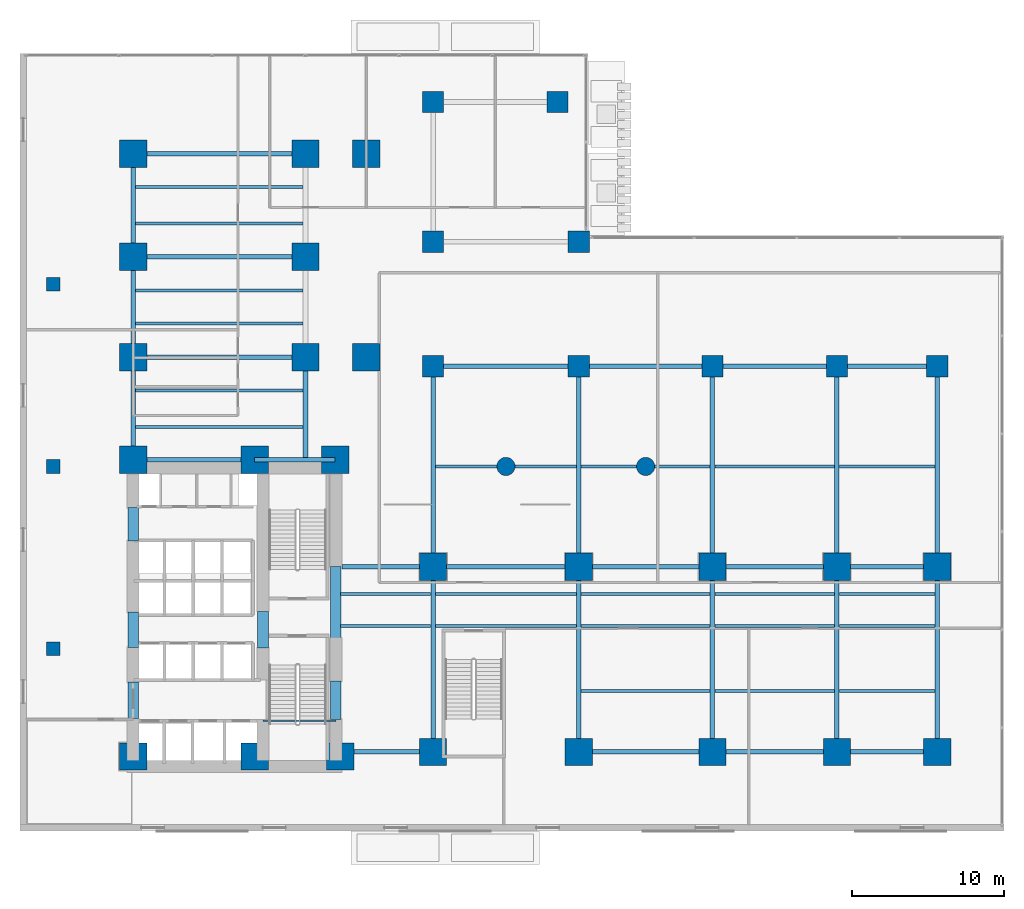
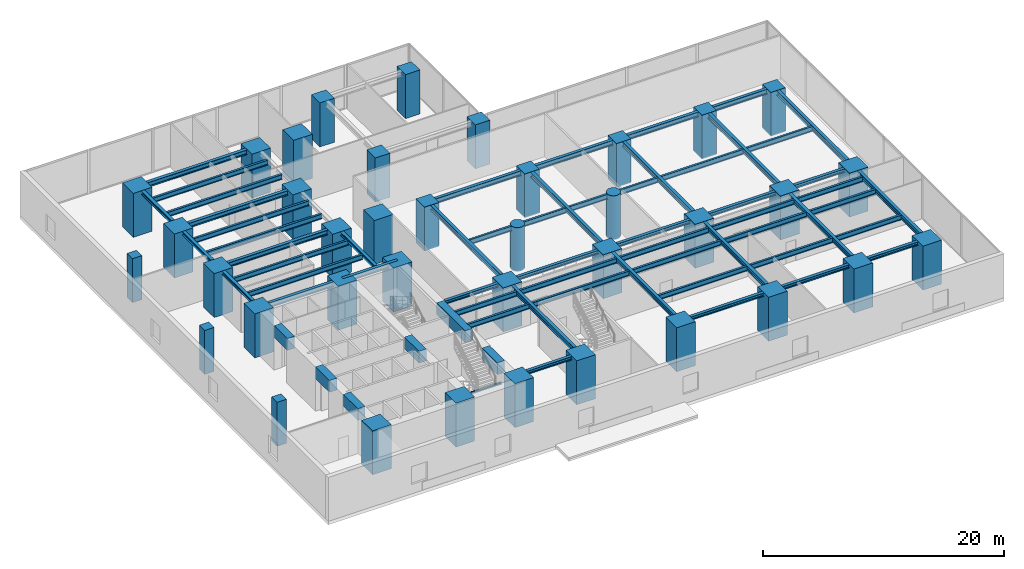
# One storey, part 1 of 17: 62 beams, 38 columns.
"""IFC4 building model written with IfcOpenShell, lengths in metres."""

from ifc_helpers import new_model, si_unit, direction, frame, origin, origin_2d, place, context, subcontext, project, spatial, rectangle, circle, i_section, extrude, material, material_profile, profile_set, type_object, element, save


model = new_model("IFC4")

# Units and contexts
model_context = context("Model", 3, precision=1e-05, world=origin(), true_north=direction((0.0, 1.0)))
body_context = subcontext(model_context, "Body", "Model", "MODEL_VIEW")
ifc_project = project(units=[si_unit("LENGTHUNIT", "METRE"), si_unit("AREAUNIT", "SQUARE_METRE"), si_unit("VOLUMEUNIT", "CUBIC_METRE"), si_unit("PLANEANGLEUNIT", "RADIAN"), si_unit("MASSUNIT", "GRAM", prefix="KILO")], contexts=[model_context])

# Site, building, storey
site_placement = place(None, origin())
site = spatial("IfcSite", under=ifc_project, at=site_placement, CompositionType="ELEMENT")
building_placement = place(site_placement, origin())
building = spatial("IfcBuilding", under=site, at=building_placement, Name="Kolvaren Waterfront Exchange", CompositionType="ELEMENT")
storey_placement = place(building_placement, frame((0.0, 0.0, 5.60009765625)))
storey = spatial("IfcBuildingStorey", under=building, at=storey_placement, Name="L02", CompositionType="ELEMENT", Elevation=5.60009765625)

# Columns
ifc_material_1 = material(Name="Concrete C70/85", Category="concrete")
ifc_material_profile_1 = material_profile(ifc_material_1, rectangle(XDim=1.39990234375, YDim=1.39990234375, at=origin_2d()), Name="RC-COL-1400x1400")
ifc_profile_set_1 = profile_set([ifc_material_profile_1], Name="Concrete C70/85")
column_type_1 = type_object("IfcColumnType", Name="STR-COL-1400-C70", PredefinedType="COLUMN", material=ifc_profile_set_1)
for number, where, z_axis, x_axis, name in (
    (1, (27.199951171875, 30.60009765625, 0.0), (0.0, 0.0, 1.0), (1.0, 0.0, 0.0), "L02 column PC01"),
    (2, (36.800048828125, 30.60009765625, 0.0), (0.0, 0.0, 1.0), (1.0, 0.0, 0.0), "L02 column PC02"),
    (3, (45.60009765625, 30.60009765625, 0.0), (0.0, 0.0, 1.0), (1.0, 0.0, 0.0), "L02 column PC03"),
    (4, (53.800048828125, 30.60009765625, 0.0), (0.0, 0.0, 1.0), (1.0, 0.0, 0.0), "L02 column PC04"),
    (5, (60.39990234375, 30.60009765625, 0.0), (0.0, 0.0, 1.0), (1.0, 0.0, 0.0), "L02 column PC05"),
    (6, (27.199951171875, 38.800048828125, 0.0), (0.0, 0.0, 1.0), (1.0, 0.0, 0.0), "L02 column PC06"),
    (7, (36.800048828125, 38.800048828125, 0.0), (0.0, 0.0, 1.0), (1.0, 0.0, 0.0), "L02 column PC07"),
    (8, (27.199951171875, 48.0, 0.0), (0.0, 0.0, 1.0), (1.0, 0.0, 0.0), "L02 column PC08"),
    (9, (35.39990234375, 48.0, 0.0), (0.0, 0.0, 1.0), (1.0, 0.0, 0.0), "L02 column PC09"),
):
    element("IfcColumn", number, at=place(storey_placement, frame(where, z_axis=z_axis, x_axis=x_axis)), inside=storey, type_object=column_type_1, Name=name, PredefinedType="COLUMN", context=body_context, shape_type="SweptSolid", body=[
        extrude(rectangle(XDim=1.39990234375, YDim=1.39990234375, at=origin_2d()), origin(), (0.0, 0.0, 1.0), 4.4599609375),
    ])
ifc_material_profile_2 = material_profile(ifc_material_1, rectangle(XDim=1.800048828125, YDim=1.800048828125, at=origin_2d()), Name="RC-COL-1800x1800")
ifc_profile_set_2 = profile_set([ifc_material_profile_2], Name="Concrete C70/85")
column_type_2 = type_object("IfcColumnType", Name="STR-COL-1800-C70", PredefinedType="COLUMN", material=ifc_profile_set_2)
for number, where, z_axis, x_axis, name in (
    (10, (7.449951171875, 4.89990234375, 0.0), (0.0, 0.0, 1.0), (1.0, 0.0, 0.0), "L02 column MC01"),
    (11, (15.449951171875, 4.89990234375, 0.0), (0.0, 0.0, 1.0), (1.0, 0.0, 0.0), "L02 column MC02"),
    (12, (21.10009765625, 4.89990234375, 0.0), (0.0, 0.0, 1.0), (1.0, 0.0, 0.0), "L02 column MC03"),
    (13, (7.449951171875, 24.449951171875, 0.0), (0.0, 0.0, 1.0), (1.0, 0.0, 0.0), "L02 column MC04"),
    (14, (15.449951171875, 24.449951171875, 0.0), (0.0, 0.0, 1.0), (1.0, 0.0, 0.0), "L02 column MC05"),
    (15, (20.75, 24.449951171875, 0.0), (0.0, 0.0, 1.0), (1.0, 0.0, 0.0), "L02 column MC06"),
    (16, (7.449951171875, 31.199951171875, 0.0), (0.0, 0.0, 1.0), (1.0, 0.0, 0.0), "L02 column NC01"),
    (17, (7.449951171875, 37.800048828125, 0.0), (0.0, 0.0, 1.0), (1.0, 0.0, 0.0), "L02 column NC02"),
    (18, (7.449951171875, 44.60009765625, 0.0), (0.0, 0.0, 1.0), (1.0, 0.0, 0.0), "L02 column NC03"),
    (19, (18.800048828125, 31.199951171875, 0.0), (0.0, 0.0, 1.0), (1.0, 0.0, 0.0), "L02 column NC04"),
    (20, (18.800048828125, 37.800048828125, 0.0), (0.0, 0.0, 1.0), (1.0, 0.0, 0.0), "L02 column NC05"),
    (21, (18.800048828125, 44.60009765625, 0.0), (0.0, 0.0, 1.0), (1.0, 0.0, 0.0), "L02 column NC06"),
    (22, (27.199951171875, 5.199951171875, 0.0), (0.0, 0.0, 1.0), (1.0, 0.0, 0.0), "L02 column EC01"),
    (23, (36.800048828125, 5.199951171875, 0.0), (0.0, 0.0, 1.0), (1.0, 0.0, 0.0), "L02 column EC02"),
    (24, (45.60009765625, 5.199951171875, 0.0), (0.0, 0.0, 1.0), (1.0, 0.0, 0.0), "L02 column EC03"),
    (25, (27.199951171875, 17.39990234375, 0.0), (0.0, 0.0, 1.0), (1.0, 0.0, 0.0), "L02 column EC04"),
    (26, (36.800048828125, 17.39990234375, 0.0), (0.0, 0.0, 1.0), (1.0, 0.0, 0.0), "L02 column EC05"),
    (27, (45.60009765625, 17.39990234375, 0.0), (0.0, 0.0, 1.0), (1.0, 0.0, 0.0), "L02 column EC06"),
    (28, (53.800048828125, 5.199951171875, 0.0), (0.0, 0.0, 1.0), (1.0, 0.0, 0.0), "L02 column ZC01"),
    (29, (53.800048828125, 17.39990234375, 0.0), (0.0, 0.0, 1.0), (1.0, 0.0, 0.0), "L02 column ZC02"),
    (30, (60.39990234375, 5.199951171875, 0.0), (0.0, 0.0, 1.0), (1.0, 0.0, 0.0), "L02 column ZC03"),
    (31, (60.39990234375, 17.39990234375, 0.0), (0.0, 0.0, 1.0), (1.0, 0.0, 0.0), "L02 column ZC04"),
    (32, (22.800048828125, 31.199951171875, 0.0), (0.0, 0.0, 1.0), (1.0, 0.0, 0.0), "L02 column ZC05"),
    (33, (22.800048828125, 44.60009765625, 0.0), (0.0, 0.0, 1.0), (1.0, 0.0, 0.0), "L02 column ZC06"),
):
    element("IfcColumn", number, at=place(storey_placement, frame(where, z_axis=z_axis, x_axis=x_axis)), inside=storey, type_object=column_type_2, Name=name, PredefinedType="COLUMN", context=body_context, shape_type="SweptSolid", body=[
        extrude(rectangle(XDim=1.800048828125, YDim=1.800048828125, at=origin_2d()), origin(), (0.0, 0.0, 1.0), 4.4599609375),
    ])
ifc_material_profile_3 = material_profile(ifc_material_1, circle(Radius=0.60009765625, at=origin_2d()), Name="RC-COL-D1200")
ifc_profile_set_3 = profile_set([ifc_material_profile_3], Name="Concrete C70/85")
column_type_3 = type_object("IfcColumnType", Name="STR-COL-D1200-C70", PredefinedType="COLUMN", material=ifc_profile_set_3)
for number, where, z_axis, x_axis, name in (
    (34, (32.0, 24.0, 0.0), (0.0, 0.0, 1.0), (1.0, 0.0, 0.0), "L02 column LC01"),
    (35, (41.199951171875, 24.0, 0.0), (0.0, 0.0, 1.0), (1.0, 0.0, 0.0), "L02 column LC02"),
):
    element("IfcColumn", number, at=place(storey_placement, frame(where, z_axis=z_axis, x_axis=x_axis)), inside=storey, type_object=column_type_3, Name=name, PredefinedType="COLUMN", context=body_context, shape_type="SweptSolid", body=[
        extrude(circle(Radius=0.60009765625, at=origin_2d()), origin(), (0.0, 0.0, 1.0), 4.4599609375),
    ])
ifc_material_profile_4 = material_profile(ifc_material_1, rectangle(XDim=0.89990234375, YDim=0.89990234375, at=origin_2d()), Name="RC-COL-900x900")
ifc_profile_set_4 = profile_set([ifc_material_profile_4], Name="Concrete C70/85")
column_type_4 = type_object("IfcColumnType", Name="STR-PIL-900-C70", PredefinedType="PILASTER", material=ifc_profile_set_4)
for number, where, z_axis, x_axis, name in (
    (36, (2.199951171875, 12.0, 0.0), (0.0, 0.0, 1.0), (1.0, 0.0, 0.0), "L02 column PL01"),
    (37, (2.199951171875, 24.0, 0.0), (0.0, 0.0, 1.0), (1.0, 0.0, 0.0), "L02 column PL02"),
    (38, (2.199951171875, 36.0, 0.0), (0.0, 0.0, 1.0), (1.0, 0.0, 0.0), "L02 column PL03"),
):
    element("IfcColumn", number, at=place(storey_placement, frame(where, z_axis=z_axis, x_axis=x_axis)), inside=storey, type_object=column_type_4, Name=name, PredefinedType="PILASTER", context=body_context, shape_type="SweptSolid", body=[
        extrude(rectangle(XDim=0.89990234375, YDim=0.89990234375, at=origin_2d()), origin(), (0.0, 0.0, 1.0), 4.4599609375),
    ])

# Beams
ifc_material_2 = material(Name="Steel S355", Category="steel")
ifc_material_profile_5 = material_profile(ifc_material_2, i_section(OverallWidth=0.300048828125, OverallDepth=0.360107421875, WebThickness=0.012451171875, FlangeThickness=0.0224609375, FilletRadius=0.027099609375, at=origin_2d()), Name="HEB360")
ifc_profile_set_5 = profile_set([ifc_material_profile_5], Name="Steel S355")
beam_type_1 = type_object("IfcBeamType", Name="STR-BM-HEB360", PredefinedType="SPANDREL", material=ifc_profile_set_5)
beam_1_placement = place(storey_placement, frame((7.449951171875, 24.449951171875, 4.27978515625), z_axis=(0.0, 1.0, 0.0), x_axis=(-1.0, 0.0, 0.0)))
element("IfcBeam", 39, at=beam_1_placement, inside=storey, type_object=beam_type_1, Name="L02 north-arm edge beam 1", PredefinedType="SPANDREL", context=body_context, shape_type="SweptSolid", body=[
    extrude(i_section(OverallWidth=0.300048828125, OverallDepth=0.360107421875, WebThickness=0.012451171875, FlangeThickness=0.0224609375, FilletRadius=0.027099609375, at=origin_2d()), origin(), (0.0, 0.0, 1.0), 6.75),
])
beam_2_placement = place(storey_placement, frame((7.449951171875, 31.199951171875, 4.27978515625), z_axis=(0.0, 1.0, 0.0), x_axis=(-1.0, 0.0, 0.0)))
element("IfcBeam", 40, at=beam_2_placement, inside=storey, type_object=beam_type_1, Name="L02 north-arm edge beam 2", PredefinedType="SPANDREL", context=body_context, shape_type="SweptSolid", body=[
    extrude(i_section(OverallWidth=0.300048828125, OverallDepth=0.360107421875, WebThickness=0.012451171875, FlangeThickness=0.0224609375, FilletRadius=0.027099609375, at=origin_2d()), origin(), (0.0, 0.0, 1.0), 6.60009765625),
])
beam_3_placement = place(storey_placement, frame((7.449951171875, 37.800048828125, 4.27978515625), z_axis=(0.0, 1.0, 0.0), x_axis=(-1.0, 0.0, 0.0)))
element("IfcBeam", 41, at=beam_3_placement, inside=storey, type_object=beam_type_1, Name="L02 north-arm edge beam 3", PredefinedType="SPANDREL", context=body_context, shape_type="SweptSolid", body=[
    extrude(i_section(OverallWidth=0.300048828125, OverallDepth=0.360107421875, WebThickness=0.012451171875, FlangeThickness=0.0224609375, FilletRadius=0.027099609375, at=origin_2d()), origin(), (0.0, 0.0, 1.0), 6.800048828125),
])
beam_4_placement = place(storey_placement, frame((18.800048828125, 24.449951171875, 4.27978515625), z_axis=(0.0, 1.0, 0.0), x_axis=(-1.0, 0.0, 0.0)))
element("IfcBeam", 42, at=beam_4_placement, inside=storey, type_object=beam_type_1, Name="L02 north-arm edge beam 1", PredefinedType="SPANDREL", context=body_context, shape_type="SweptSolid", body=[
    extrude(i_section(OverallWidth=0.300048828125, OverallDepth=0.360107421875, WebThickness=0.012451171875, FlangeThickness=0.0224609375, FilletRadius=0.027099609375, at=origin_2d()), origin(), (0.0, 0.0, 1.0), 6.75),
])
beam_5_placement = place(storey_placement, frame((21.199951171875, 5.199951171875, 4.27978515625), z_axis=(1.0, 0.0, 0.0), x_axis=(0.0, 1.0, 0.0)))
element("IfcBeam", 43, at=beam_5_placement, inside=storey, type_object=beam_type_1, Name="L02 east-arm spandrel S1", PredefinedType="SPANDREL", context=body_context, shape_type="SweptSolid", body=[
    extrude(i_section(OverallWidth=0.300048828125, OverallDepth=0.360107421875, WebThickness=0.012451171875, FlangeThickness=0.0224609375, FilletRadius=0.027099609375, at=origin_2d()), origin(), (0.0, 0.0, 1.0), 6.0),
])
beam_6_placement = place(storey_placement, frame((36.800048828125, 5.199951171875, 4.27978515625), z_axis=(1.0, 0.0, 0.0), x_axis=(0.0, 1.0, 0.0)))
element("IfcBeam", 44, at=beam_6_placement, inside=storey, type_object=beam_type_1, Name="L02 east-arm spandrel S3", PredefinedType="SPANDREL", context=body_context, shape_type="SweptSolid", body=[
    extrude(i_section(OverallWidth=0.300048828125, OverallDepth=0.360107421875, WebThickness=0.012451171875, FlangeThickness=0.0224609375, FilletRadius=0.027099609375, at=origin_2d()), origin(), (0.0, 0.0, 1.0), 8.800048828125),
])
beam_7_placement = place(storey_placement, frame((45.60009765625, 5.199951171875, 4.27978515625), z_axis=(1.0, 0.0, 0.0), x_axis=(0.0, 1.0, 0.0)))
element("IfcBeam", 45, at=beam_7_placement, inside=storey, type_object=beam_type_1, Name="L02 east-arm spandrel S4", PredefinedType="SPANDREL", context=body_context, shape_type="SweptSolid", body=[
    extrude(i_section(OverallWidth=0.300048828125, OverallDepth=0.360107421875, WebThickness=0.012451171875, FlangeThickness=0.0224609375, FilletRadius=0.027099609375, at=origin_2d()), origin(), (0.0, 0.0, 1.0), 8.199951171875),
])
beam_8_placement = place(storey_placement, frame((53.800048828125, 5.199951171875, 4.27978515625), z_axis=(1.0, 0.0, 0.0), x_axis=(0.0, 1.0, 0.0)))
element("IfcBeam", 46, at=beam_8_placement, inside=storey, type_object=beam_type_1, Name="L02 east-arm spandrel S5", PredefinedType="SPANDREL", context=body_context, shape_type="SweptSolid", body=[
    extrude(i_section(OverallWidth=0.300048828125, OverallDepth=0.360107421875, WebThickness=0.012451171875, FlangeThickness=0.0224609375, FilletRadius=0.027099609375, at=origin_2d()), origin(), (0.0, 0.0, 1.0), 6.599853515625),
])
beam_9_placement = place(storey_placement, frame((21.199951171875, 17.39990234375, 4.27978515625), z_axis=(1.0, 0.0, 0.0), x_axis=(0.0, 1.0, 0.0)))
element("IfcBeam", 47, at=beam_9_placement, inside=storey, type_object=beam_type_1, Name="L02 east-arm spandrel N1", PredefinedType="SPANDREL", context=body_context, shape_type="SweptSolid", body=[
    extrude(i_section(OverallWidth=0.300048828125, OverallDepth=0.360107421875, WebThickness=0.012451171875, FlangeThickness=0.0224609375, FilletRadius=0.027099609375, at=origin_2d()), origin(), (0.0, 0.0, 1.0), 6.0),
])
beam_10_placement = place(storey_placement, frame((27.199951171875, 17.39990234375, 4.27978515625), z_axis=(1.0, 0.0, 0.0), x_axis=(0.0, 1.0, 0.0)))
element("IfcBeam", 48, at=beam_10_placement, inside=storey, type_object=beam_type_1, Name="L02 east-arm spandrel N2", PredefinedType="SPANDREL", context=body_context, shape_type="SweptSolid", body=[
    extrude(i_section(OverallWidth=0.300048828125, OverallDepth=0.360107421875, WebThickness=0.012451171875, FlangeThickness=0.0224609375, FilletRadius=0.027099609375, at=origin_2d()), origin(), (0.0, 0.0, 1.0), 9.60009765625),
])
beam_11_placement = place(storey_placement, frame((36.800048828125, 17.39990234375, 4.27978515625), z_axis=(1.0, 0.0, 0.0), x_axis=(0.0, 1.0, 0.0)))
element("IfcBeam", 49, at=beam_11_placement, inside=storey, type_object=beam_type_1, Name="L02 east-arm spandrel N3", PredefinedType="SPANDREL", context=body_context, shape_type="SweptSolid", body=[
    extrude(i_section(OverallWidth=0.300048828125, OverallDepth=0.360107421875, WebThickness=0.012451171875, FlangeThickness=0.0224609375, FilletRadius=0.027099609375, at=origin_2d()), origin(), (0.0, 0.0, 1.0), 8.800048828125),
])
beam_12_placement = place(storey_placement, frame((45.60009765625, 17.39990234375, 4.27978515625), z_axis=(1.0, 0.0, 0.0), x_axis=(0.0, 1.0, 0.0)))
element("IfcBeam", 50, at=beam_12_placement, inside=storey, type_object=beam_type_1, Name="L02 east-arm spandrel N4", PredefinedType="SPANDREL", context=body_context, shape_type="SweptSolid", body=[
    extrude(i_section(OverallWidth=0.300048828125, OverallDepth=0.360107421875, WebThickness=0.012451171875, FlangeThickness=0.0224609375, FilletRadius=0.027099609375, at=origin_2d()), origin(), (0.0, 0.0, 1.0), 8.199951171875),
])
beam_13_placement = place(storey_placement, frame((53.800048828125, 17.39990234375, 4.27978515625), z_axis=(1.0, 0.0, 0.0), x_axis=(0.0, 1.0, 0.0)))
element("IfcBeam", 51, at=beam_13_placement, inside=storey, type_object=beam_type_1, Name="L02 east-arm spandrel N5", PredefinedType="SPANDREL", context=body_context, shape_type="SweptSolid", body=[
    extrude(i_section(OverallWidth=0.300048828125, OverallDepth=0.360107421875, WebThickness=0.012451171875, FlangeThickness=0.0224609375, FilletRadius=0.027099609375, at=origin_2d()), origin(), (0.0, 0.0, 1.0), 6.599853515625),
])
ifc_material_profile_6 = material_profile(ifc_material_2, i_section(OverallWidth=0.300048828125, OverallDepth=0.5, WebThickness=0.014404296875, FlangeThickness=0.028076171875, FilletRadius=0.027099609375, at=origin_2d()), Name="HEB500")
ifc_profile_set_6 = profile_set([ifc_material_profile_6], Name="Steel S355")
beam_type_2 = type_object("IfcBeamType", Name="STR-BM-HEB500", PredefinedType="BEAM", material=ifc_profile_set_6)
beam_14_placement = place(storey_placement, frame((7.449951171875, 24.449951171875, 4.2099609375), z_axis=(1.0, 0.0, 0.0), x_axis=(0.0, 1.0, 0.0)))
element("IfcBeam", 52, at=beam_14_placement, inside=storey, type_object=beam_type_2, Name="L02 north-arm girder 1A", PredefinedType="BEAM", context=body_context, shape_type="SweptSolid", body=[
    extrude(i_section(OverallWidth=0.300048828125, OverallDepth=0.5, WebThickness=0.014404296875, FlangeThickness=0.028076171875, FilletRadius=0.027099609375, at=origin_2d()), origin(), (0.0, 0.0, 1.0), 8.0),
])
beam_15_placement = place(storey_placement, frame((15.449951171875, 24.449951171875, 4.2099609375), z_axis=(1.0, 0.0, 0.0), x_axis=(0.0, 1.0, 0.0)))
element("IfcBeam", 53, at=beam_15_placement, inside=storey, type_object=beam_type_2, Name="L02 north-arm girder 1B", PredefinedType="BEAM", context=body_context, shape_type="SweptSolid", body=[
    extrude(i_section(OverallWidth=0.300048828125, OverallDepth=0.5, WebThickness=0.014404296875, FlangeThickness=0.028076171875, FilletRadius=0.027099609375, at=origin_2d()), origin(), (0.0, 0.0, 1.0), 5.300048828125),
])
for number, where, z_axis, x_axis, name in (
    (54, (7.449951171875, 31.199951171875, 4.2099609375), (1.0, 0.0, 0.0), (0.0, 1.0, 0.0), "L02 north-arm girder 2"),
    (55, (7.449951171875, 37.800048828125, 4.2099609375), (1.0, 0.0, 0.0), (0.0, 1.0, 0.0), "L02 north-arm girder 3"),
    (56, (7.449951171875, 44.60009765625, 4.2099609375), (1.0, 0.0, 0.0), (0.0, 1.0, 0.0), "L02 north-arm girder 4"),
):
    element("IfcBeam", number, at=place(storey_placement, frame(where, z_axis=z_axis, x_axis=x_axis)), inside=storey, type_object=beam_type_2, Name=name, PredefinedType="BEAM", context=body_context, shape_type="SweptSolid", body=[
        extrude(i_section(OverallWidth=0.300048828125, OverallDepth=0.5, WebThickness=0.014404296875, FlangeThickness=0.028076171875, FilletRadius=0.027099609375, at=origin_2d()), origin(), (0.0, 0.0, 1.0), 11.35009765625),
    ])
for number, where, z_axis, x_axis, name in (
    (57, (27.199951171875, 5.199951171875, 4.2099609375), (0.0, 1.0, 0.0), (-1.0, 0.0, 0.0), "L02 east-arm transverse girder X27"),
    (58, (36.800048828125, 5.199951171875, 4.2099609375), (0.0, 1.0, 0.0), (-1.0, 0.0, 0.0), "L02 east-arm transverse girder X36"),
    (59, (45.60009765625, 5.199951171875, 4.2099609375), (0.0, 1.0, 0.0), (-1.0, 0.0, 0.0), "L02 east-arm transverse girder X45"),
    (60, (53.800048828125, 5.199951171875, 4.2099609375), (0.0, 1.0, 0.0), (-1.0, 0.0, 0.0), "L02 east-arm transverse girder X53"),
    (61, (60.39990234375, 5.199951171875, 4.2099609375), (0.0, 1.0, 0.0), (-1.0, 0.0, 0.0), "L02 east-arm transverse girder X60"),
):
    element("IfcBeam", number, at=place(storey_placement, frame(where, z_axis=z_axis, x_axis=x_axis)), inside=storey, type_object=beam_type_2, Name=name, PredefinedType="BEAM", context=body_context, shape_type="SweptSolid", body=[
        extrude(i_section(OverallWidth=0.300048828125, OverallDepth=0.5, WebThickness=0.014404296875, FlangeThickness=0.028076171875, FilletRadius=0.027099609375, at=origin_2d()), origin(), (0.0, 0.0, 1.0), 12.199951171875),
    ])
for number, where, z_axis, x_axis, name in (
    (62, (27.199951171875, 17.39990234375, 4.2099609375), (0.0, 1.0, 0.0), (-1.0, 0.0, 0.0), "L02 podium hall girder X27"),
    (63, (36.800048828125, 17.39990234375, 4.2099609375), (0.0, 1.0, 0.0), (-1.0, 0.0, 0.0), "L02 podium hall girder X36"),
    (64, (45.60009765625, 17.39990234375, 4.2099609375), (0.0, 1.0, 0.0), (-1.0, 0.0, 0.0), "L02 podium hall girder X45"),
    (65, (53.800048828125, 17.39990234375, 4.2099609375), (0.0, 1.0, 0.0), (-1.0, 0.0, 0.0), "L02 podium hall girder X53"),
    (66, (60.39990234375, 17.39990234375, 4.2099609375), (0.0, 1.0, 0.0), (-1.0, 0.0, 0.0), "L02 podium hall girder X60"),
):
    element("IfcBeam", number, at=place(storey_placement, frame(where, z_axis=z_axis, x_axis=x_axis)), inside=storey, type_object=beam_type_2, Name=name, PredefinedType="BEAM", context=body_context, shape_type="SweptSolid", body=[
        extrude(i_section(OverallWidth=0.300048828125, OverallDepth=0.5, WebThickness=0.014404296875, FlangeThickness=0.028076171875, FilletRadius=0.027099609375, at=origin_2d()), origin(), (0.0, 0.0, 1.0), 13.2001953125),
    ])
beam_16_placement = place(storey_placement, frame((27.199951171875, 30.60009765625, 4.2099609375), z_axis=(1.0, 0.0, 0.0), x_axis=(0.0, 1.0, 0.0)))
element("IfcBeam", 67, at=beam_16_placement, inside=storey, type_object=beam_type_2, Name="L02 podium longitudinal beam 1", PredefinedType="BEAM", context=body_context, shape_type="SweptSolid", body=[
    extrude(i_section(OverallWidth=0.300048828125, OverallDepth=0.5, WebThickness=0.014404296875, FlangeThickness=0.028076171875, FilletRadius=0.027099609375, at=origin_2d()), origin(), (0.0, 0.0, 1.0), 9.60009765625),
])
beam_17_placement = place(storey_placement, frame((36.800048828125, 30.60009765625, 4.2099609375), z_axis=(1.0, 0.0, 0.0), x_axis=(0.0, 1.0, 0.0)))
element("IfcBeam", 68, at=beam_17_placement, inside=storey, type_object=beam_type_2, Name="L02 podium longitudinal beam 2", PredefinedType="BEAM", context=body_context, shape_type="SweptSolid", body=[
    extrude(i_section(OverallWidth=0.300048828125, OverallDepth=0.5, WebThickness=0.014404296875, FlangeThickness=0.028076171875, FilletRadius=0.027099609375, at=origin_2d()), origin(), (0.0, 0.0, 1.0), 8.800048828125),
])
beam_18_placement = place(storey_placement, frame((45.60009765625, 30.60009765625, 4.2099609375), z_axis=(1.0, 0.0, 0.0), x_axis=(0.0, 1.0, 0.0)))
element("IfcBeam", 69, at=beam_18_placement, inside=storey, type_object=beam_type_2, Name="L02 podium longitudinal beam 3", PredefinedType="BEAM", context=body_context, shape_type="SweptSolid", body=[
    extrude(i_section(OverallWidth=0.300048828125, OverallDepth=0.5, WebThickness=0.014404296875, FlangeThickness=0.028076171875, FilletRadius=0.027099609375, at=origin_2d()), origin(), (0.0, 0.0, 1.0), 8.199951171875),
])
beam_19_placement = place(storey_placement, frame((53.800048828125, 30.60009765625, 4.2099609375), z_axis=(1.0, 0.0, 0.0), x_axis=(0.0, 1.0, 0.0)))
element("IfcBeam", 70, at=beam_19_placement, inside=storey, type_object=beam_type_2, Name="L02 podium longitudinal beam 4", PredefinedType="BEAM", context=body_context, shape_type="SweptSolid", body=[
    extrude(i_section(OverallWidth=0.300048828125, OverallDepth=0.5, WebThickness=0.014404296875, FlangeThickness=0.028076171875, FilletRadius=0.027099609375, at=origin_2d()), origin(), (0.0, 0.0, 1.0), 6.599853515625),
])
ifc_material_profile_7 = material_profile(ifc_material_2, i_section(OverallWidth=0.1201171875, OverallDepth=0.239990234375, WebThickness=0.006103515625, FlangeThickness=0.009765625, FilletRadius=0.014892578125, at=origin_2d()), Name="IPE240")
ifc_profile_set_7 = profile_set([ifc_material_profile_7], Name="Steel S355")
beam_type_3 = type_object("IfcBeamType", Name="STR-BM-IPE240", PredefinedType="LINTEL", material=ifc_profile_set_7)
beam_20_placement = place(storey_placement, frame((16.0, 7.25, 2.3798828125), z_axis=(1.0, 0.0, 0.0), x_axis=(0.0, 1.0, 0.0)))
element("IfcBeam", 71, at=beam_20_placement, inside=storey, type_object=beam_type_3, Name="L02 core throat header lintel", PredefinedType="LINTEL", context=body_context, shape_type="SweptSolid", body=[
    extrude(i_section(OverallWidth=0.1201171875, OverallDepth=0.239990234375, WebThickness=0.006103515625, FlangeThickness=0.009765625, FilletRadius=0.014892578125, at=origin_2d()), origin(), (0.0, 0.0, 1.0), 4.800048828125),
])
ifc_material_profile_8 = material_profile(ifc_material_2, i_section(OverallWidth=0.199951171875, OverallDepth=0.5, WebThickness=0.01025390625, FlangeThickness=0.01611328125, FilletRadius=0.02099609375, at=origin_2d()), Name="IPE500")
ifc_profile_set_8 = profile_set([ifc_material_profile_8], Name="Steel S355")
beam_type_4 = type_object("IfcBeamType", Name="STR-BM-IPE500", PredefinedType="JOIST", material=ifc_profile_set_8)
for number, where, z_axis, x_axis, name in (
    (72, (7.60205078125, 26.60009765625, 4.2099609375), (1.0, 0.0, 0.0), (0.0, 1.0, 0.0), "L02 north-arm composite joist 1"),
    (73, (7.60205078125, 29.0, 4.2099609375), (1.0, 0.0, 0.0), (0.0, 1.0, 0.0), "L02 north-arm composite joist 2"),
    (74, (7.60205078125, 33.39990234375, 4.2099609375), (1.0, 0.0, 0.0), (0.0, 1.0, 0.0), "L02 north-arm composite joist 3"),
    (75, (7.60205078125, 35.60009765625, 4.2099609375), (1.0, 0.0, 0.0), (0.0, 1.0, 0.0), "L02 north-arm composite joist 4"),
    (76, (7.60205078125, 40.0, 4.2099609375), (1.0, 0.0, 0.0), (0.0, 1.0, 0.0), "L02 north-arm composite joist 5"),
    (77, (7.60205078125, 42.39990234375, 4.2099609375), (1.0, 0.0, 0.0), (0.0, 1.0, 0.0), "L02 north-arm composite joist 6"),
):
    element("IfcBeam", number, at=place(storey_placement, frame(where, z_axis=z_axis, x_axis=x_axis)), inside=storey, type_object=beam_type_4, Name=name, PredefinedType="JOIST", context=body_context, shape_type="SweptSolid", body=[
        extrude(i_section(OverallWidth=0.199951171875, OverallDepth=0.5, WebThickness=0.01025390625, FlangeThickness=0.01611328125, FilletRadius=0.02099609375, at=origin_2d()), origin(), (0.0, 0.0, 1.0), 11.0458984375),
    ])
for number, where, z_axis, x_axis, name in (
    (78, (21.10009765625, 13.5, 4.2099609375), (1.0, 0.0, 0.0), (0.0, 1.0, 0.0), "L02 east-arm composite joist 1A"),
    (79, (21.10009765625, 15.60009765625, 4.2099609375), (1.0, 0.0, 0.0), (0.0, 1.0, 0.0), "L02 east-arm composite joist 1C"),
):
    element("IfcBeam", number, at=place(storey_placement, frame(where, z_axis=z_axis, x_axis=x_axis)), inside=storey, type_object=beam_type_4, Name=name, PredefinedType="JOIST", context=body_context, shape_type="SweptSolid", body=[
        extrude(i_section(OverallWidth=0.199951171875, OverallDepth=0.5, WebThickness=0.01025390625, FlangeThickness=0.01611328125, FilletRadius=0.02099609375, at=origin_2d()), origin(), (0.0, 0.0, 1.0), 5.947998046875),
    ])
for number, where, z_axis, x_axis, name in (
    (80, (27.35205078125, 13.5, 4.2099609375), (1.0, 0.0, 0.0), (0.0, 1.0, 0.0), "L02 east-arm composite joist 2A"),
    (81, (27.35205078125, 15.60009765625, 4.2099609375), (1.0, 0.0, 0.0), (0.0, 1.0, 0.0), "L02 east-arm composite joist 2C"),
):
    element("IfcBeam", number, at=place(storey_placement, frame(where, z_axis=z_axis, x_axis=x_axis)), inside=storey, type_object=beam_type_4, Name=name, PredefinedType="JOIST", context=body_context, shape_type="SweptSolid", body=[
        extrude(i_section(OverallWidth=0.199951171875, OverallDepth=0.5, WebThickness=0.01025390625, FlangeThickness=0.01611328125, FilletRadius=0.02099609375, at=origin_2d()), origin(), (0.0, 0.0, 1.0), 9.2958984375),
    ])
for number, where, z_axis, x_axis, name in (
    (82, (36.951904296875, 13.5, 4.2099609375), (1.0, 0.0, 0.0), (0.0, 1.0, 0.0), "L02 east-arm composite joist 3A"),
    (83, (36.951904296875, 15.60009765625, 4.2099609375), (1.0, 0.0, 0.0), (0.0, 1.0, 0.0), "L02 east-arm composite joist 3C"),
    (84, (36.951904296875, 9.199951171875, 4.2099609375), (1.0, 0.0, 0.0), (0.0, 1.0, 0.0), "L02 east-arm composite joist 3B"),
):
    element("IfcBeam", number, at=place(storey_placement, frame(where, z_axis=z_axis, x_axis=x_axis)), inside=storey, type_object=beam_type_4, Name=name, PredefinedType="JOIST", context=body_context, shape_type="SweptSolid", body=[
        extrude(i_section(OverallWidth=0.199951171875, OverallDepth=0.5, WebThickness=0.01025390625, FlangeThickness=0.01611328125, FilletRadius=0.02099609375, at=origin_2d()), origin(), (0.0, 0.0, 1.0), 8.49609375),
    ])
for number, where, z_axis, x_axis, name in (
    (85, (45.751953125, 13.5, 4.2099609375), (1.0, 0.0, 0.0), (0.0, 1.0, 0.0), "L02 east-arm composite joist 4A"),
    (86, (45.751953125, 15.60009765625, 4.2099609375), (1.0, 0.0, 0.0), (0.0, 1.0, 0.0), "L02 east-arm composite joist 4C"),
    (87, (45.751953125, 9.199951171875, 4.2099609375), (1.0, 0.0, 0.0), (0.0, 1.0, 0.0), "L02 east-arm composite joist 4B"),
):
    element("IfcBeam", number, at=place(storey_placement, frame(where, z_axis=z_axis, x_axis=x_axis)), inside=storey, type_object=beam_type_4, Name=name, PredefinedType="JOIST", context=body_context, shape_type="SweptSolid", body=[
        extrude(i_section(OverallWidth=0.199951171875, OverallDepth=0.5, WebThickness=0.01025390625, FlangeThickness=0.01611328125, FilletRadius=0.02099609375, at=origin_2d()), origin(), (0.0, 0.0, 1.0), 7.89599609375),
    ])
for number, where, z_axis, x_axis, name in (
    (88, (53.951904296875, 13.5, 4.2099609375), (1.0, 0.0, 0.0), (0.0, 1.0, 0.0), "L02 east-arm composite joist 5A"),
    (89, (53.951904296875, 15.60009765625, 4.2099609375), (1.0, 0.0, 0.0), (0.0, 1.0, 0.0), "L02 east-arm composite joist 5C"),
    (90, (53.951904296875, 9.199951171875, 4.2099609375), (1.0, 0.0, 0.0), (0.0, 1.0, 0.0), "L02 east-arm composite joist 5B"),
):
    element("IfcBeam", number, at=place(storey_placement, frame(where, z_axis=z_axis, x_axis=x_axis)), inside=storey, type_object=beam_type_4, Name=name, PredefinedType="JOIST", context=body_context, shape_type="SweptSolid", body=[
        extrude(i_section(OverallWidth=0.199951171875, OverallDepth=0.5, WebThickness=0.01025390625, FlangeThickness=0.01611328125, FilletRadius=0.02099609375, at=origin_2d()), origin(), (0.0, 0.0, 1.0), 6.296142578125),
    ])
beam_21_placement = place(storey_placement, frame((27.35205078125, 24.0, 4.2099609375), z_axis=(1.0, 0.0, 0.0), x_axis=(0.0, 1.0, 0.0)))
element("IfcBeam", 91, at=beam_21_placement, inside=storey, type_object=beam_type_4, Name="L02 podium trading joist 1", PredefinedType="JOIST", context=body_context, shape_type="SweptSolid", body=[
    extrude(i_section(OverallWidth=0.199951171875, OverallDepth=0.5, WebThickness=0.01025390625, FlangeThickness=0.01611328125, FilletRadius=0.02099609375, at=origin_2d()), origin(), (0.0, 0.0, 1.0), 9.2958984375),
])
beam_22_placement = place(storey_placement, frame((36.951904296875, 24.0, 4.2099609375), z_axis=(1.0, 0.0, 0.0), x_axis=(0.0, 1.0, 0.0)))
element("IfcBeam", 92, at=beam_22_placement, inside=storey, type_object=beam_type_4, Name="L02 podium trading joist 2", PredefinedType="JOIST", context=body_context, shape_type="SweptSolid", body=[
    extrude(i_section(OverallWidth=0.199951171875, OverallDepth=0.5, WebThickness=0.01025390625, FlangeThickness=0.01611328125, FilletRadius=0.02099609375, at=origin_2d()), origin(), (0.0, 0.0, 1.0), 8.49609375),
])
beam_23_placement = place(storey_placement, frame((45.751953125, 24.0, 4.2099609375), z_axis=(1.0, 0.0, 0.0), x_axis=(0.0, 1.0, 0.0)))
element("IfcBeam", 93, at=beam_23_placement, inside=storey, type_object=beam_type_4, Name="L02 podium trading joist 3", PredefinedType="JOIST", context=body_context, shape_type="SweptSolid", body=[
    extrude(i_section(OverallWidth=0.199951171875, OverallDepth=0.5, WebThickness=0.01025390625, FlangeThickness=0.01611328125, FilletRadius=0.02099609375, at=origin_2d()), origin(), (0.0, 0.0, 1.0), 7.89599609375),
])
beam_24_placement = place(storey_placement, frame((53.951904296875, 24.0, 4.2099609375), z_axis=(1.0, 0.0, 0.0), x_axis=(0.0, 1.0, 0.0)))
element("IfcBeam", 94, at=beam_24_placement, inside=storey, type_object=beam_type_4, Name="L02 podium trading joist 4", PredefinedType="JOIST", context=body_context, shape_type="SweptSolid", body=[
    extrude(i_section(OverallWidth=0.199951171875, OverallDepth=0.5, WebThickness=0.01025390625, FlangeThickness=0.01611328125, FilletRadius=0.02099609375, at=origin_2d()), origin(), (0.0, 0.0, 1.0), 6.296142578125),
])
ifc_material_profile_9 = material_profile(ifc_material_1, rectangle(XDim=0.699951171875, YDim=1.199951171875, at=origin_2d()), Name="RC-CB-1200x700")
ifc_profile_set_9 = profile_set([ifc_material_profile_9], Name="Concrete C70/85")
beam_type_5 = type_object("IfcBeamType", Name="STR-CB-1200", PredefinedType="SPANDREL", material=ifc_profile_set_9)
beam_25_placement = place(storey_placement, frame((20.800048828125, 7.340087890625, 3.85986328125), z_axis=(0.0, 1.0, 0.0), x_axis=(-1.0, 0.0, 0.0)))
element("IfcBeam", 95, at=beam_25_placement, inside=storey, type_object=beam_type_5, Name="L02 core coupling beam 1", PredefinedType="SPANDREL", context=body_context, shape_type="SweptSolid", body=[
    extrude(rectangle(XDim=0.699951171875, YDim=1.199951171875, at=origin_2d()), origin(), (0.0, 0.0, 1.0), 2.52001953125),
])
beam_26_placement = place(storey_placement, frame((20.800048828125, 12.68994140625, 3.85986328125), z_axis=(0.0, 1.0, 0.0), x_axis=(-1.0, 0.0, 0.0)))
element("IfcBeam", 96, at=beam_26_placement, inside=storey, type_object=beam_type_5, Name="L02 core coupling beam 2", PredefinedType="SPANDREL", context=body_context, shape_type="SweptSolid", body=[
    extrude(rectangle(XDim=0.699951171875, YDim=1.199951171875, at=origin_2d()), origin(), (0.0, 0.0, 1.0), 4.719970703125),
])
beam_27_placement = place(storey_placement, frame((7.449951171875, 7.389892578125, 3.85986328125), z_axis=(0.0, 1.0, 0.0), x_axis=(-1.0, 0.0, 0.0)))
element("IfcBeam", 97, at=beam_27_placement, inside=storey, type_object=beam_type_5, Name="L02 core coupling beam 3", PredefinedType="SPANDREL", context=body_context, shape_type="SweptSolid", body=[
    extrude(rectangle(XDim=0.699951171875, YDim=1.199951171875, at=origin_2d()), origin(), (0.0, 0.0, 1.0), 2.420166015625),
])
beam_28_placement = place(storey_placement, frame((7.449951171875, 12.090087890625, 3.85986328125), z_axis=(0.0, 1.0, 0.0), x_axis=(-1.0, 0.0, 0.0)))
element("IfcBeam", 98, at=beam_28_placement, inside=storey, type_object=beam_type_5, Name="L02 core coupling beam 4", PredefinedType="SPANDREL", context=body_context, shape_type="SweptSolid", body=[
    extrude(rectangle(XDim=0.699951171875, YDim=1.199951171875, at=origin_2d()), origin(), (0.0, 0.0, 1.0), 2.31982421875),
])
beam_29_placement = place(storey_placement, frame((7.449951171875, 19.10009765625, 3.85986328125), z_axis=(0.0, 1.0, 0.0), x_axis=(-1.0, 0.0, 0.0)))
element("IfcBeam", 99, at=beam_29_placement, inside=storey, type_object=beam_type_5, Name="L02 core coupling beam 5", PredefinedType="SPANDREL", context=body_context, shape_type="SweptSolid", body=[
    extrude(rectangle(XDim=0.699951171875, YDim=1.199951171875, at=origin_2d()), origin(), (0.0, 0.0, 1.0), 2.199951171875),
])
beam_30_placement = place(storey_placement, frame((16.0, 12.0400390625, 3.85986328125), z_axis=(0.0, 1.0, 0.0), x_axis=(-1.0, 0.0, 0.0)))
element("IfcBeam", 100, at=beam_30_placement, inside=storey, type_object=beam_type_5, Name="L02 core coupling beam 6", PredefinedType="SPANDREL", context=body_context, shape_type="SweptSolid", body=[
    extrude(rectangle(XDim=0.699951171875, YDim=1.199951171875, at=origin_2d()), origin(), (0.0, 0.0, 1.0), 2.419921875),
])

save(model, "model.ifc")
